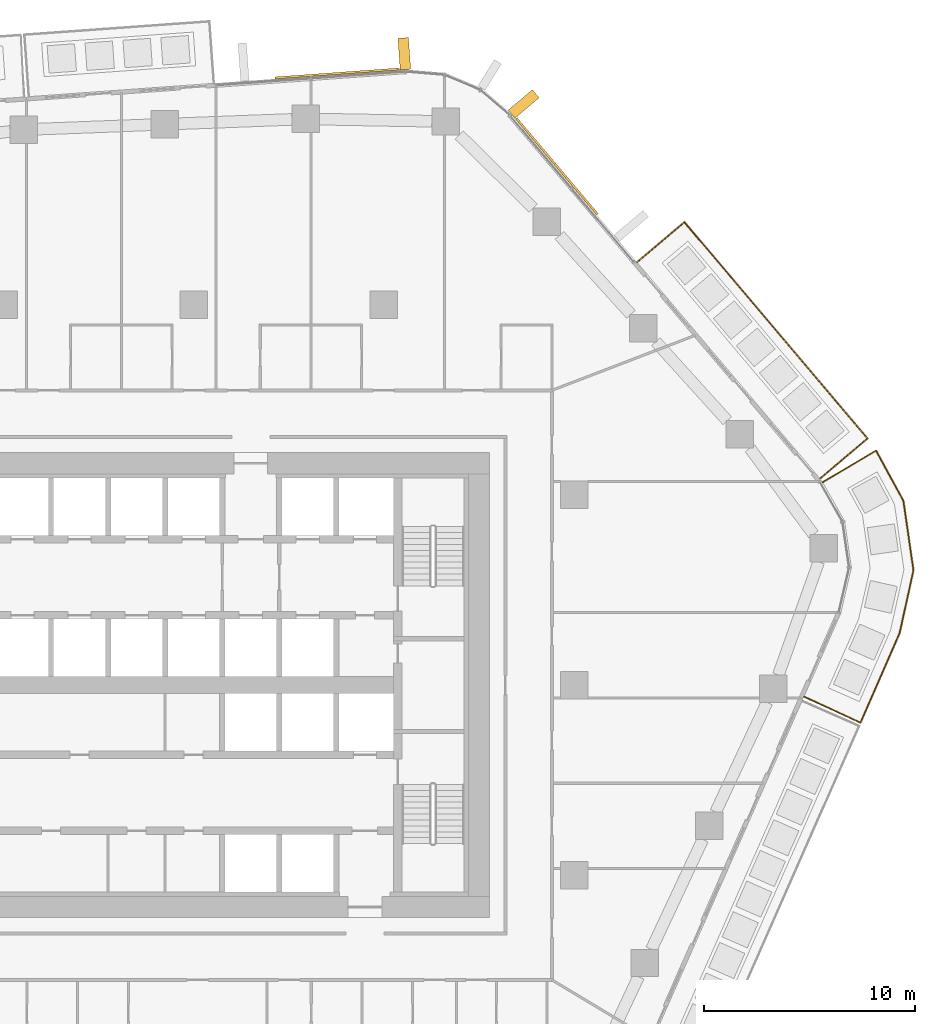
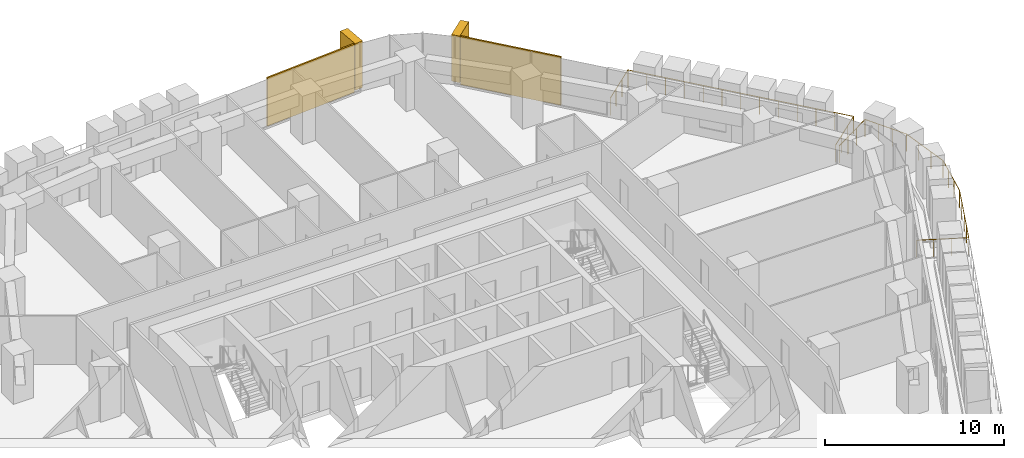
# One storey, part 24 of 24: 4 coverings, 2 railings, 2 elements without a shape of their own.
"""IFC4 building model written with IfcOpenShell, lengths in metres."""

from ifc_helpers import new_model, si_unit, direction, frame, origin, origin_2d, place, context, subcontext, project, spatial, rectangle, circle, extrude, material, layer, layer_set, material_profile, profile_set, type_object, element, aggregate, save


model = new_model("IFC4")

# Units and contexts
model_context = context("Model", 3, precision=1e-05, world=origin(), true_north=direction((0.0, 1.0)))
body_context = subcontext(model_context, "Body", "Model", "MODEL_VIEW")
ifc_project = project(units=[si_unit("LENGTHUNIT", "METRE"), si_unit("AREAUNIT", "SQUARE_METRE"), si_unit("VOLUMEUNIT", "CUBIC_METRE"), si_unit("PLANEANGLEUNIT", "RADIAN"), si_unit("MASSUNIT", "GRAM", prefix="KILO")], contexts=[model_context])

# Site, building, storey
site_placement = place(None, origin())
site = spatial("IfcSite", under=ifc_project, at=site_placement, CompositionType="ELEMENT")
building_placement = place(site_placement, origin())
building = spatial("IfcBuilding", under=site, at=building_placement, Name="Dongbaek Canopy Tower", CompositionType="ELEMENT")
storey_placement = place(building_placement, frame((0.0, 0.0, 110.0)))
storey = spatial("IfcBuildingStorey", under=building, at=storey_placement, Name="L23", CompositionType="ELEMENT", Elevation=110.0)

# Railings
ifc_material_1 = material(Name="Stainless steel", Category="steel")
railing_type = type_object("IfcRailingType", Name="Balcony balustrade 1200", PredefinedType="BALUSTRADE", material=ifc_material_1)
railing_1_placement = place(storey_placement, frame((29.637451171875, 9.777099609375, 0.0)))
element("IfcRailing", 1, at=railing_1_placement, inside=storey, type_object=railing_type, Name="Balcony guard L23 1", PredefinedType="BALUSTRADE", context=body_context, shape_type="SweptSolid", body=[
    extrude(circle(Radius=0.02392578125, at=origin_2d()), frame((0.0, 0.0, 1.17578125), z_axis=(0.763298084693, 0.646046464199, 0.0), x_axis=(-0.646046464199, 0.763298084693, 0.0)), (0.0, 0.0, 1.0), 2.93994140625),
    extrude(circle(Radius=0.02392578125, at=origin_2d()), frame((2.244140625, 1.8994140625, 1.17578125), z_axis=(-0.646054087916, 0.763291632004, 0.0), x_axis=(-0.763291632004, -0.646054087916, 0.0)), (0.0, 0.0, 1.0), 13.40478515625),
    extrude(circle(Radius=0.02392578125, at=origin_2d()), frame((-6.416015625, 12.131103515625, 1.17578125), z_axis=(-0.763298084693, -0.646046464199, 0.0), x_axis=(0.646046464199, -0.763298084693, 0.0)), (0.0, 0.0, 1.0), 2.93994140625),
    extrude(circle(Radius=0.02099609375, at=origin_2d()), origin(), (0.0, 0.0, 1.0), 1.15185546875),
    extrude(circle(Radius=0.02099609375, at=origin_2d()), frame((0.748046875, 0.633056640625, 0.0)), (0.0, 0.0, 1.0), 1.15185546875),
    extrude(circle(Radius=0.02099609375, at=origin_2d()), frame((1.49609375, 1.266357421875, 0.0)), (0.0, 0.0, 1.0), 1.15185546875),
    extrude(circle(Radius=0.02099609375, at=origin_2d()), frame((2.244140625, 1.8994140625, 0.0)), (0.0, 0.0, 1.0), 1.15185546875),
    extrude(circle(Radius=0.02099609375, at=origin_2d()), frame((1.5224609375, 2.751953125, 0.0)), (0.0, 0.0, 1.0), 1.15185546875),
    extrude(circle(Radius=0.02099609375, at=origin_2d()), frame((0.80078125, 3.604736328125, 0.0)), (0.0, 0.0, 1.0), 1.15185546875),
    extrude(circle(Radius=0.02099609375, at=origin_2d()), frame((0.0791015625, 4.457275390625, 0.0)), (0.0, 0.0, 1.0), 1.15185546875),
    extrude(circle(Radius=0.02099609375, at=origin_2d()), frame((-0.642578125, 5.31005859375, 0.0)), (0.0, 0.0, 1.0), 1.15185546875),
    extrude(circle(Radius=0.02099609375, at=origin_2d()), frame((-1.3642578125, 6.16259765625, 0.0)), (0.0, 0.0, 1.0), 1.15185546875),
    extrude(circle(Radius=0.02099609375, at=origin_2d()), frame((-2.0859375, 7.01513671875, 0.0)), (0.0, 0.0, 1.0), 1.15185546875),
    extrude(circle(Radius=0.02099609375, at=origin_2d()), frame((-2.8076171875, 7.867919921875, 0.0)), (0.0, 0.0, 1.0), 1.15185546875),
    extrude(circle(Radius=0.02099609375, at=origin_2d()), frame((-3.529296875, 8.720458984375, 0.0)), (0.0, 0.0, 1.0), 1.15185546875),
    extrude(circle(Radius=0.02099609375, at=origin_2d()), frame((-4.2509765625, 9.5732421875, 0.0)), (0.0, 0.0, 1.0), 1.15185546875),
    extrude(circle(Radius=0.02099609375, at=origin_2d()), frame((-4.97265625, 10.42578125, 0.0)), (0.0, 0.0, 1.0), 1.15185546875),
    extrude(circle(Radius=0.02099609375, at=origin_2d()), frame((-5.6943359375, 11.278564453125, 0.0)), (0.0, 0.0, 1.0), 1.15185546875),
    extrude(circle(Radius=0.02099609375, at=origin_2d()), frame((-6.416015625, 12.131103515625, 0.0)), (0.0, 0.0, 1.0), 1.15185546875),
    extrude(circle(Radius=0.02099609375, at=origin_2d()), frame((-7.1640625, 11.498046875, 0.0)), (0.0, 0.0, 1.0), 1.15185546875),
    extrude(circle(Radius=0.02099609375, at=origin_2d()), frame((-7.912109375, 10.86474609375, 0.0)), (0.0, 0.0, 1.0), 1.15185546875),
    extrude(circle(Radius=0.02099609375, at=origin_2d()), frame((-8.66015625, 10.231689453125, 0.0)), (0.0, 0.0, 1.0), 1.15185546875),
])
railing_2_placement = place(storey_placement, frame((28.88330078125, -0.54150390625, 0.0)))
element("IfcRailing", 2, at=railing_2_placement, inside=storey, type_object=railing_type, Name="Balcony guard L23 6", PredefinedType="BALUSTRADE", context=body_context, shape_type="SweptSolid", body=[
    extrude(circle(Radius=0.02392578125, at=origin_2d()), frame((0.0, 0.0, 1.17578125), z_axis=(0.906642839812, -0.421898993858, 0.0), x_axis=(0.421898993858, 0.906642839812, 0.0)), (0.0, 0.0, 1.0), 2.94091796875),
    extrude(circle(Radius=0.02392578125, at=origin_2d()), frame((2.666259765625, -1.24072265625, 1.17578125), z_axis=(0.400763602333, 0.916181496782, 0.0), x_axis=(-0.916181496782, 0.400763602333, 0.0)), (0.0, 0.0, 1.0), 4.6376953125),
    extrude(circle(Radius=0.02392578125, at=origin_2d()), frame((4.52490234375, 3.00830078125, 1.17578125), z_axis=(0.214659556171, 0.976688934587, 0.0), x_axis=(-0.976688934587, 0.214659556171, 0.0)), (0.0, 0.0, 1.0), 3.0400390625),
    extrude(circle(Radius=0.02392578125, at=origin_2d()), frame((5.177490234375, 5.9775390625, 1.17578125), z_axis=(-0.143186259677, 0.989695758827, 0.0), x_axis=(-0.989695758827, -0.143186259677, 0.0)), (0.0, 0.0, 1.0), 3.311279296875),
    extrude(circle(Radius=0.02392578125, at=origin_2d()), frame((4.703369140625, 9.254638671875, 1.17578125), z_axis=(-0.47715135233, 0.878821134799, 0.0), x_axis=(-0.878821134799, -0.47715135233, 0.0)), (0.0, 0.0, 1.0), 2.717041015625),
    extrude(circle(Radius=0.02392578125, at=origin_2d()), frame((3.406982421875, 11.642333984375, 1.17578125), z_axis=(-0.859471809309, -0.511183146244, 0.0), x_axis=(0.511183146244, -0.859471809309, 0.0)), (0.0, 0.0, 1.0), 2.940673828125),
    extrude(circle(Radius=0.02099609375, at=origin_2d()), origin(), (0.0, 0.0, 1.0), 1.15185546875),
    extrude(circle(Radius=0.02099609375, at=origin_2d()), frame((0.888671875, -0.41357421875, 0.0)), (0.0, 0.0, 1.0), 1.15185546875),
    extrude(circle(Radius=0.02099609375, at=origin_2d()), frame((1.777587890625, -0.8271484375, 0.0)), (0.0, 0.0, 1.0), 1.15185546875),
    extrude(circle(Radius=0.02099609375, at=origin_2d()), frame((2.666259765625, -1.24072265625, 0.0)), (0.0, 0.0, 1.0), 1.15185546875),
    extrude(circle(Radius=0.02099609375, at=origin_2d()), frame((3.130859375, -0.178466796875, 0.0)), (0.0, 0.0, 1.0), 1.15185546875),
    extrude(circle(Radius=0.02099609375, at=origin_2d()), frame((3.595703125, 0.8837890625, 0.0)), (0.0, 0.0, 1.0), 1.15185546875),
    extrude(circle(Radius=0.02099609375, at=origin_2d()), frame((4.060302734375, 1.946044921875, 0.0)), (0.0, 0.0, 1.0), 1.15185546875),
    extrude(circle(Radius=0.02099609375, at=origin_2d()), frame((4.52490234375, 3.00830078125, 0.0)), (0.0, 0.0, 1.0), 1.15185546875),
    extrude(circle(Radius=0.02099609375, at=origin_2d()), frame((4.742431640625, 3.998046875, 0.0)), (0.0, 0.0, 1.0), 1.15185546875),
    extrude(circle(Radius=0.02099609375, at=origin_2d()), frame((4.9599609375, 4.98779296875, 0.0)), (0.0, 0.0, 1.0), 1.15185546875),
    extrude(circle(Radius=0.02099609375, at=origin_2d()), frame((5.177490234375, 5.9775390625, 0.0)), (0.0, 0.0, 1.0), 1.15185546875),
    extrude(circle(Radius=0.02099609375, at=origin_2d()), frame((5.01953125, 7.06982421875, 0.0)), (0.0, 0.0, 1.0), 1.15185546875),
    extrude(circle(Radius=0.02099609375, at=origin_2d()), frame((4.861328125, 8.162353515625, 0.0)), (0.0, 0.0, 1.0), 1.15185546875),
    extrude(circle(Radius=0.02099609375, at=origin_2d()), frame((4.703369140625, 9.254638671875, 0.0)), (0.0, 0.0, 1.0), 1.15185546875),
    extrude(circle(Radius=0.02099609375, at=origin_2d()), frame((4.271240234375, 10.050537109375, 0.0)), (0.0, 0.0, 1.0), 1.15185546875),
    extrude(circle(Radius=0.02099609375, at=origin_2d()), frame((3.839111328125, 10.846435546875, 0.0)), (0.0, 0.0, 1.0), 1.15185546875),
    extrude(circle(Radius=0.02099609375, at=origin_2d()), frame((3.406982421875, 11.642333984375, 0.0)), (0.0, 0.0, 1.0), 1.15185546875),
    extrude(circle(Radius=0.02099609375, at=origin_2d()), frame((2.564453125, 11.141357421875, 0.0)), (0.0, 0.0, 1.0), 1.15185546875),
    extrude(circle(Radius=0.02099609375, at=origin_2d()), frame((1.72216796875, 10.64013671875, 0.0)), (0.0, 0.0, 1.0), 1.15185546875),
    extrude(circle(Radius=0.02099609375, at=origin_2d()), frame((0.879638671875, 10.13916015625, 0.0)), (0.0, 0.0, 1.0), 1.15185546875),
])

# Curtain wall, covering
ifc_material_2 = material(Name="Aluminium 6063-T6 pale anodised", Category="aluminium")
ifc_layer_1 = layer(ifc_material_2, 0.199951171875)
ifc_layer_set_1 = layer_set([ifc_layer_1], Name="CW-1 unitised tower curtain wall")
curtain_wall_type = type_object("IfcCurtainWallType", Name="CW-1 unitised tower curtain wall", PredefinedType="NOTDEFINED", material=ifc_layer_set_1)
curtain_wall_1_placement = place(storey_placement, origin())
curtain_wall_1 = element("IfcCurtainWall", 3, at=curtain_wall_1_placement, inside=storey, type_object=curtain_wall_type, Name="CW-1 curtain wall F0.1", PredefinedType="NOTDEFINED")
ifc_material_3 = material(Name="Perforated aluminium 6063-T6 pale metal screen", Category="aluminium")
ifc_layer_2 = layer(ifc_material_3, 0.10009765625)
ifc_layer_set_2 = layer_set([ifc_layer_2], Name="Facet screen FS1 100 pale metal")
covering_type_1 = type_object("IfcCoveringType", Name="Facet screen FS1 100 pale metal", PredefinedType="CLADDING", material=ifc_layer_set_2)
covering_1_placement = place(storey_placement, frame((17.190185546875, 24.554443359375, 0.0), z_axis=(0.0, 0.0, 1.0), x_axis=(-0.646056040394, 0.763289979412, 0.0)))
covering_1 = element("IfcCovering", 4, at=covering_1_placement, type_object=covering_type_1, Name="Facet screen L23 F0", PredefinedType="CLADDING", context=body_context, shape_type="SweptSolid", body=[
    extrude(rectangle(XDim=5.95751953125, YDim=0.10009765625, at=origin_2d()), origin(), (0.0, 0.0, 1.0), 3.300048828125),
])

curtain_wall_2_placement = place(storey_placement, origin())
curtain_wall_2 = element("IfcCurtainWall", 5, at=curtain_wall_2_placement, inside=storey, type_object=curtain_wall_type, Name="CW-1 curtain wall F1.1", PredefinedType="NOTDEFINED")
covering_2_placement = place(storey_placement, frame((6.785888671875, 28.947021484375, 0.0), z_axis=(0.0, 0.0, 1.0), x_axis=(-0.99742315782, -0.071742903788, 0.0)))
covering_2 = element("IfcCovering", 6, at=covering_2_placement, type_object=covering_type_1, Name="Facet screen L23 F1", PredefinedType="CLADDING", context=body_context, shape_type="SweptSolid", body=[
    extrude(rectangle(XDim=5.89892578125, YDim=0.10009765625, at=origin_2d()), origin(), (0.0, 0.0, 1.0), 3.300048828125),
])

# Covering
ifc_material_4 = material(Name="Aluminium 6063-T6 pale metal fin", Category="aluminium")
ifc_material_profile = material_profile(ifc_material_4, rectangle(XDim=1.5, YDim=0.5, at=origin_2d()), Name="Fin FN1 500 x 1500 pale metal")
ifc_profile_set = profile_set([ifc_material_profile], Name="Aluminium 6063-T6 pale metal fin")
covering_type_2 = type_object("IfcCoveringType", Name="Fin FN1 500 x 1500 pale metal", PredefinedType="CLADDING", material=ifc_profile_set)
covering_3_placement = place(storey_placement, frame((15.61572265625, 27.50439453125, 0.1201171875), z_axis=(0.0, 0.0, 1.0), x_axis=(0.763289924972, 0.646056104712, 0.0)))
covering_3 = element("IfcCovering", 7, at=covering_3_placement, type_object=covering_type_2, Name="Fin F0.1.3", PredefinedType="CLADDING", context=body_context, shape_type="SweptSolid", body=[
    extrude(rectangle(XDim=1.5, YDim=0.5, at=origin_2d()), origin(), (0.0, 0.0, 1.0), 3.179931640625),
])

aggregate(curtain_wall_1, [covering_3, covering_1])

covering_4_placement = place(storey_placement, frame((9.96630859375, 29.88134765625, 0.1201171875), z_axis=(0.0, 0.0, 1.0), x_axis=(-0.071742796309, 0.997423165551, 0.0)))
covering_4 = element("IfcCovering", 8, at=covering_4_placement, type_object=covering_type_2, Name="Fin F1.1.1", PredefinedType="CLADDING", context=body_context, shape_type="SweptSolid", body=[
    extrude(rectangle(XDim=1.5, YDim=0.5, at=origin_2d()), origin(), (0.0, 0.0, 1.0), 3.179931640625),
])

aggregate(curtain_wall_2, [covering_4, covering_2])

save(model, "model.ifc")
